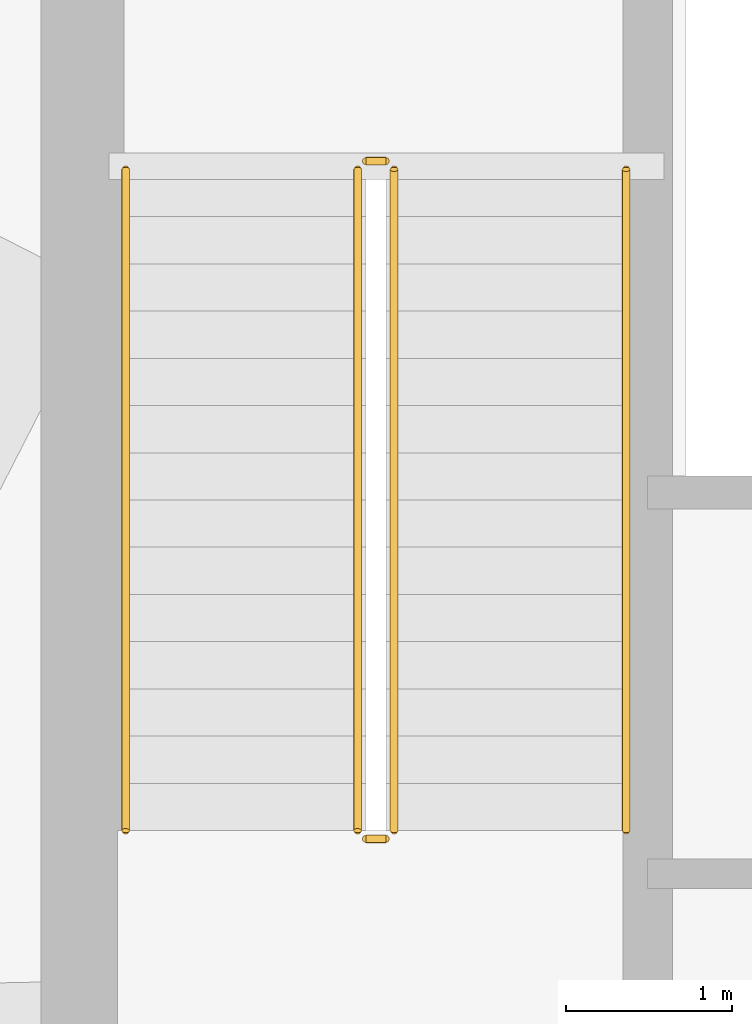
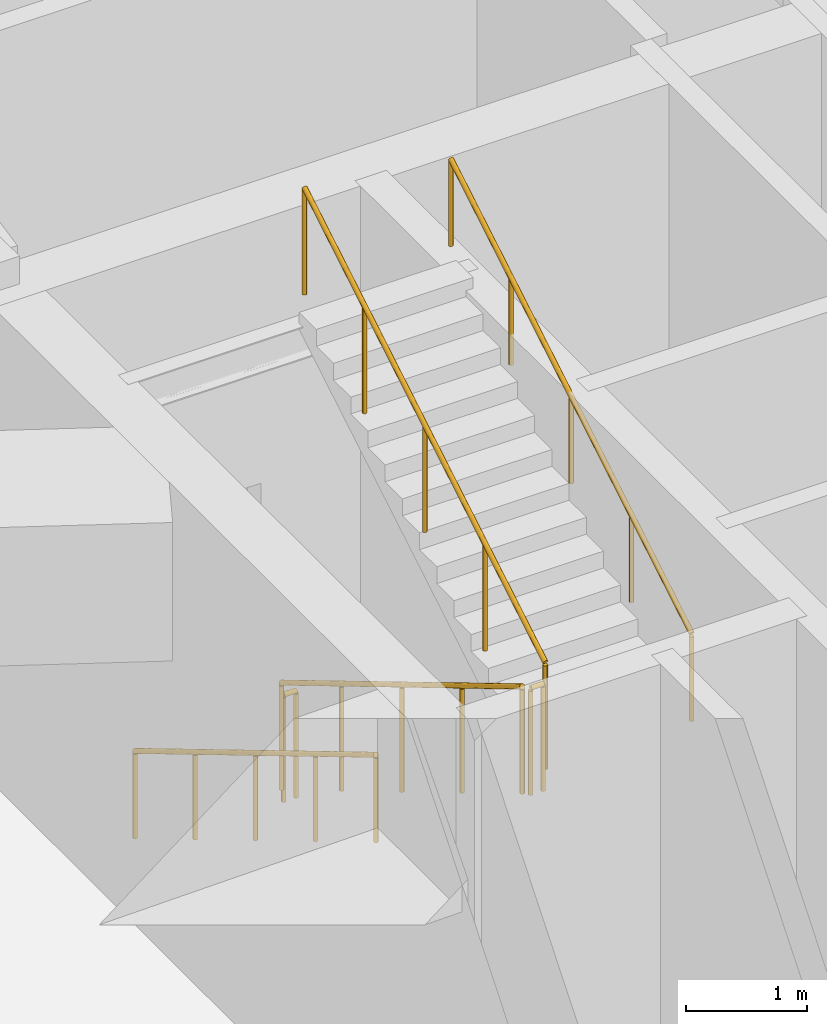
# One storey, part 17 of 18: 6 railings.
"""IFC4 building model written with IfcOpenShell, lengths in metres."""

from ifc_helpers import new_model, si_unit, direction, frame, origin, origin_2d, place, context, subcontext, project, spatial, circle, extrude, material, type_object, element, save


model = new_model("IFC4")

# Units and contexts
model_context = context("Model", 3, precision=1e-05, world=origin(), true_north=direction((0.0, 1.0)))
body_context = subcontext(model_context, "Body", "Model", "MODEL_VIEW")
ifc_project = project(units=[si_unit("LENGTHUNIT", "METRE"), si_unit("AREAUNIT", "SQUARE_METRE"), si_unit("VOLUMEUNIT", "CUBIC_METRE"), si_unit("PLANEANGLEUNIT", "RADIAN"), si_unit("MASSUNIT", "GRAM", prefix="KILO")], contexts=[model_context])

# Site, building, storey
site_placement = place(None, origin())
site = spatial("IfcSite", under=ifc_project, at=site_placement, CompositionType="ELEMENT")
building_placement = place(site_placement, origin())
building = spatial("IfcBuilding", under=site, at=building_placement, Name="Qobustan Lattice House", CompositionType="ELEMENT")
storey_placement = place(building_placement, frame((0.0, 0.0, 174.550048828125)))
storey = spatial("IfcBuildingStorey", under=building, at=storey_placement, Name="L49", CompositionType="ELEMENT", Elevation=174.550048828125)

# Railings
ifc_material_1 = material(Name="Brushed stainless steel handrail", Category="steel")
railing_type_1 = type_object("IfcRailingType", Name="RAL-HR-920", PredefinedType="HANDRAIL", material=ifc_material_1)
railing_1_placement = place(storey_placement, frame((-18.199951171875, 3.5, 0.169921875)))
element("IfcRailing", 1, at=railing_1_placement, inside=storey, type_object=railing_type_1, Name="L49 ST-W1 stair handrail 1", PredefinedType="HANDRAIL", context=body_context, shape_type="SweptSolid", body=[
    extrude(circle(Radius=0.02392578125, at=origin_2d()), frame((0.0, 0.0, 0.8759765625), z_axis=(0.0, -0.858806931142, 0.512299380267), x_axis=(1.0, 0.0, 0.0)), (0.0, 0.0, 1.0), 4.64599609375),
    extrude(circle(Radius=0.02099609375, at=origin_2d()), origin(), (0.0, 0.0, 1.0), 0.851806640625),
    extrude(circle(Radius=0.02099609375, at=origin_2d()), frame((0.0, -0.99755859375, 0.594970703125)), (0.0, 0.0, 1.0), 0.851806640625),
    extrude(circle(Radius=0.02099609375, at=origin_2d()), frame((0.0, -1.9951171875, 1.18994140625)), (0.0, 0.0, 1.0), 0.851806640625),
    extrude(circle(Radius=0.02099609375, at=origin_2d()), frame((0.0, -2.992431640625, 1.78515625)), (0.0, 0.0, 1.0), 0.851806640625),
    extrude(circle(Radius=0.02099609375, at=origin_2d()), frame((0.0, -3.989990234375, 2.380126953125)), (0.0, 0.0, 1.0), 0.851806640625),
])
railing_2_placement = place(storey_placement, frame((-15.179931640625, -0.489990234375, 2.719970703125)))
element("IfcRailing", 2, at=railing_2_placement, inside=storey, type_object=railing_type_1, Name="L49 ST-W1 stair handrail 2", PredefinedType="HANDRAIL", context=body_context, shape_type="SweptSolid", body=[
    extrude(circle(Radius=0.02392578125, at=origin_2d()), frame((0.0, 0.0, 0.8759765625), z_axis=(0.0, 0.85883005064, 0.512260621284), x_axis=(-1.0, 0.0, 0.0)), (0.0, 0.0, 1.0), 4.645751953125),
    extrude(circle(Radius=0.02099609375, at=origin_2d()), origin(), (0.0, 0.0, 1.0), 0.851806640625),
    extrude(circle(Radius=0.02099609375, at=origin_2d()), frame((0.0, 0.99755859375, 0.594970703125)), (0.0, 0.0, 1.0), 0.851806640625),
    extrude(circle(Radius=0.02099609375, at=origin_2d()), frame((0.0, 1.9951171875, 1.18994140625)), (0.0, 0.0, 1.0), 0.851806640625),
    extrude(circle(Radius=0.02099609375, at=origin_2d()), frame((0.0, 2.992431640625, 1.784912109375)), (0.0, 0.0, 1.0), 0.851806640625),
    extrude(circle(Radius=0.02099609375, at=origin_2d()), frame((0.0, 3.989990234375, 2.3798828125)), (0.0, 0.0, 1.0), 0.851806640625),
])
ifc_material_2 = material(Name="Painted galvanized steel guardrail", Category="steel")
railing_type_2 = type_object("IfcRailingType", Name="RAL-STG-1150", PredefinedType="GUARDRAIL", material=ifc_material_2)
railing_3_placement = place(storey_placement, frame((-16.800048828125, 3.5, 0.169921875)))
element("IfcRailing", 3, at=railing_3_placement, inside=storey, type_object=railing_type_2, Name="L49 ST-W1 stair guard 1", PredefinedType="GUARDRAIL", context=body_context, shape_type="SweptSolid", body=[
    extrude(circle(Radius=0.02392578125, at=origin_2d()), frame((0.0, 0.0, 1.076171875), z_axis=(0.0, -0.858806931142, 0.512299380267), x_axis=(1.0, 0.0, 0.0)), (0.0, 0.0, 1.0), 4.64599609375),
    extrude(circle(Radius=0.02099609375, at=origin_2d()), origin(), (0.0, 0.0, 1.0), 1.052001953125),
    extrude(circle(Radius=0.02099609375, at=origin_2d()), frame((0.0, -0.99755859375, 0.594970703125)), (0.0, 0.0, 1.0), 1.052001953125),
    extrude(circle(Radius=0.02099609375, at=origin_2d()), frame((0.0, -1.9951171875, 1.18994140625)), (0.0, 0.0, 1.0), 1.052001953125),
    extrude(circle(Radius=0.02099609375, at=origin_2d()), frame((0.0, -2.992431640625, 1.78515625)), (0.0, 0.0, 1.0), 1.052001953125),
    extrude(circle(Radius=0.02099609375, at=origin_2d()), frame((0.0, -3.989990234375, 2.380126953125)), (0.0, 0.0, 1.0), 1.052001953125),
])
railing_4_placement = place(storey_placement, frame((-16.75, -0.5400390625, 2.550048828125)))
element("IfcRailing", 4, at=railing_4_placement, inside=storey, type_object=railing_type_2, Name="L49 ST-W1 stair guard 2", PredefinedType="GUARDRAIL", context=body_context, shape_type="SweptSolid", body=[
    extrude(circle(Radius=0.02392578125, at=origin_2d()), frame((0.0, 0.0, 1.076171875), z_axis=(1.0, 0.0, 0.0), x_axis=(0.0, 1.0, 0.0)), (0.0, 0.0, 1.0), 0.1201171875),
    extrude(circle(Radius=0.02099609375, at=origin_2d()), origin(), (0.0, 0.0, 1.0), 1.052001953125),
    extrude(circle(Radius=0.02099609375, at=origin_2d()), frame((0.1201171875, 0.0, 0.0)), (0.0, 0.0, 1.0), 1.052001953125),
])
railing_5_placement = place(storey_placement, frame((-16.580078125, -0.489990234375, 2.719970703125)))
element("IfcRailing", 5, at=railing_5_placement, inside=storey, type_object=railing_type_2, Name="L49 ST-W1 stair guard 3", PredefinedType="GUARDRAIL", context=body_context, shape_type="SweptSolid", body=[
    extrude(circle(Radius=0.02392578125, at=origin_2d()), frame((0.0, 0.0, 1.076171875), z_axis=(0.0, 0.85883005064, 0.512260621284), x_axis=(-1.0, 0.0, 0.0)), (0.0, 0.0, 1.0), 4.645751953125),
    extrude(circle(Radius=0.02099609375, at=origin_2d()), origin(), (0.0, 0.0, 1.0), 1.052001953125),
    extrude(circle(Radius=0.02099609375, at=origin_2d()), frame((0.0, 0.99755859375, 0.594970703125)), (0.0, 0.0, 1.0), 1.052001953125),
    extrude(circle(Radius=0.02099609375, at=origin_2d()), frame((0.0, 1.9951171875, 1.18994140625)), (0.0, 0.0, 1.0), 1.052001953125),
    extrude(circle(Radius=0.02099609375, at=origin_2d()), frame((0.0, 2.992431640625, 1.784912109375)), (0.0, 0.0, 1.0), 1.052001953125),
    extrude(circle(Radius=0.02099609375, at=origin_2d()), frame((0.0, 3.989990234375, 2.3798828125)), (0.0, 0.0, 1.0), 1.052001953125),
])
railing_6_placement = place(storey_placement, frame((-16.75, 3.550048828125, 0.0)))
element("IfcRailing", 6, at=railing_6_placement, inside=storey, type_object=railing_type_2, Name="L49 ST-W1 stair guard 4", PredefinedType="GUARDRAIL", context=body_context, shape_type="SweptSolid", body=[
    extrude(circle(Radius=0.02392578125, at=origin_2d()), frame((0.0, 0.0, 1.076171875), z_axis=(1.0, 0.0, 0.0), x_axis=(0.0, 1.0, 0.0)), (0.0, 0.0, 1.0), 0.1201171875),
    extrude(circle(Radius=0.02099609375, at=origin_2d()), origin(), (0.0, 0.0, 1.0), 1.052001953125),
    extrude(circle(Radius=0.02099609375, at=origin_2d()), frame((0.1201171875, 0.0, 0.0)), (0.0, 0.0, 1.0), 1.052001953125),
])

save(model, "model.ifc")
